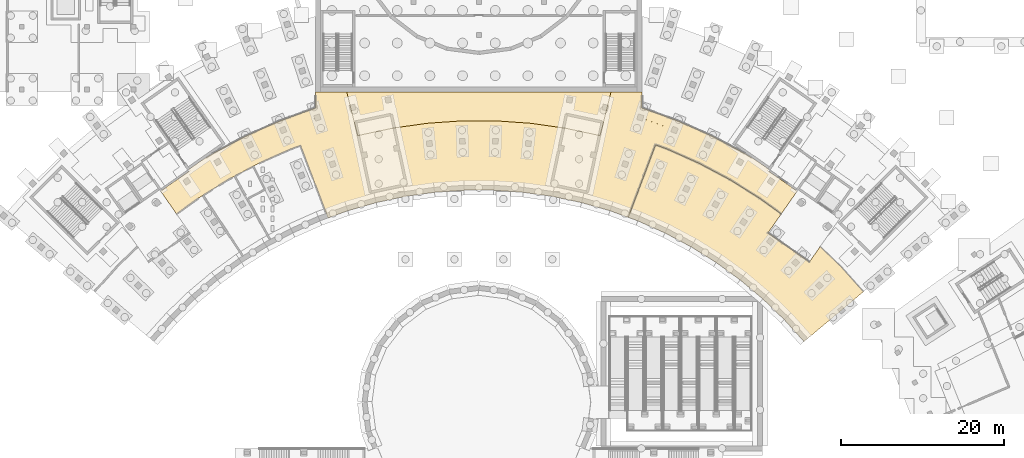
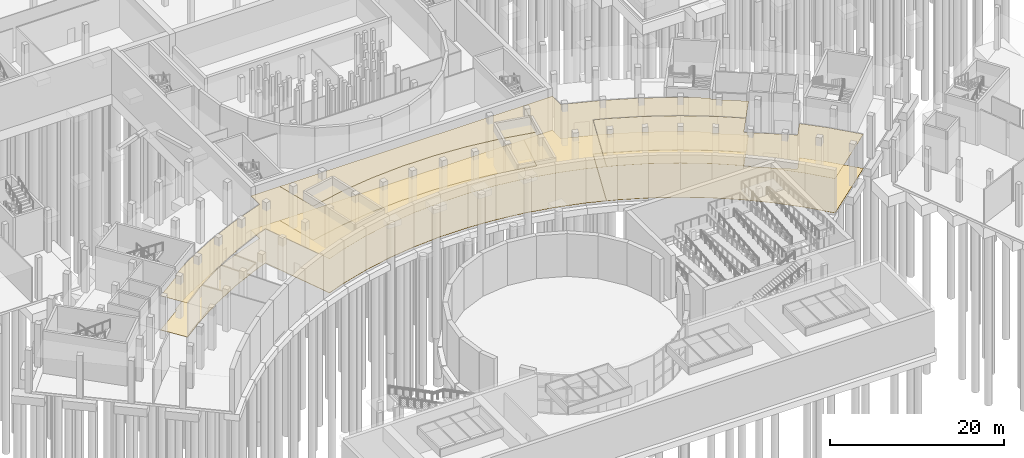
# One storey, part 42 of 66: 6 coverings.
"""IFC4 building model written with IfcOpenShell, lengths in metres."""

from ifc_helpers import new_model, si_unit, direction, frame, origin, place, context, subcontext, project, spatial, polyline, outline, extrude, material, layer, layer_set, type_object, element, save


model = new_model("IFC4")

# Units and contexts
model_context = context("Model", 3, precision=1e-05, world=origin(), true_north=direction((0.0, 1.0)))
body_context = subcontext(model_context, "Body", "Model", "MODEL_VIEW")
ifc_project = project(units=[si_unit("LENGTHUNIT", "METRE"), si_unit("AREAUNIT", "SQUARE_METRE"), si_unit("VOLUMEUNIT", "CUBIC_METRE"), si_unit("PLANEANGLEUNIT", "RADIAN"), si_unit("MASSUNIT", "GRAM", prefix="KILO")], contexts=[model_context])

# Site, building, storey
site_placement = place(None, origin())
site = spatial("IfcSite", under=ifc_project, at=site_placement, CompositionType="ELEMENT")
building_placement = place(site_placement, origin())
building = spatial("IfcBuilding", under=site, at=building_placement, Name="Lunette Opera House", CompositionType="ELEMENT")
storey_placement = place(building_placement, frame((0.0, 0.0, -6.0)))
storey = spatial("IfcBuildingStorey", under=building, at=storey_placement, Name="B1", CompositionType="ELEMENT", Elevation=-6.0)

# Coverings
ifc_material_1 = material(Name="Mineral fibre board")
ifc_layer_1 = layer(ifc_material_1, 0.014892578125)
ifc_layer_set_1 = layer_set([ifc_layer_1], Name="Mineral fibre board")
covering_type_1 = type_object("IfcCoveringType", Name="SUSPENDED ACOUSTIC CEILING 15", PredefinedType="CEILING", material=ifc_layer_set_1)
covering_1_placement = place(storey_placement, frame((0.0, 0.0, 4.81494140625)))
element("IfcCovering", 1, at=covering_1_placement, inside=storey, type_object=covering_type_1, Name="Ceiling Lower Foyer Bar", PredefinedType="CEILING", context=body_context, shape_type="SweptSolid", body=[
    extrude(outline(polyline([(110.8369140625, 58.64501953125), (110.635986328125, 58.702880859375), (106.506103515625, 59.5810546875), (102.323974609375, 60.1689453125), (98.111083984375, 60.462890625), (93.888916015625, 60.462890625), (89.676025390625, 60.1689453125), (85.493896484375, 59.5810546875), (81.364013671875, 58.702880859375), (81.1630859375, 58.64501953125), (79.80908203125, 64.0), (112.19091796875, 64.0), (110.8369140625, 58.64501953125)])), origin(), (0.0, 0.0, 1.0), 0.01513671875),
])
covering_2_placement = place(storey_placement, frame((0.0, 0.0, 4.81494140625)))
element("IfcCovering", 2, at=covering_2_placement, inside=storey, type_object=covering_type_1, Name="Ceiling Exhibition Gallery", PredefinedType="CEILING", context=body_context, shape_type="SweptSolid", body=[
    extrude(outline(polyline([(122.9599609375, 55.27587890625), (126.75, 53.260986328125), (130.389892578125, 50.986083984375), (133.0390625, 49.06103515625), (131.4140625, 46.739990234375), (136.491943359375, 43.18408203125), (137.81103515625, 45.06689453125), (140.239013671875, 42.720947265625), (143.112060546875, 39.531005859375), (139.1640625, 36.218994140625), (135.833984375, 33.425048828125), (134.14501953125, 35.302001953125), (133.406005859375, 36.1220703125), (130.794921875, 38.64404296875), (128.013916015625, 40.97705078125), (125.077880859375, 43.110107421875), (124.840087890625, 43.259033203125), (122.0, 45.032958984375), (118.794921875, 46.737060546875), (117.47802734375, 47.323974609375), (115.47998046875, 48.214111328125), (114.299072265625, 48.64404296875), (117.64208984375, 57.530029296875), (119.0380859375, 57.02197265625), (122.9599609375, 55.27587890625)])), origin(), (0.0, 0.0, 1.0), 0.01513671875),
])
covering_3_placement = place(storey_placement, frame((0.0, 0.0, 4.81494140625)))
element("IfcCovering", 3, at=covering_3_placement, inside=storey, type_object=covering_type_1, Name="Ceiling Lower Foyer", PredefinedType="CEILING", context=body_context, shape_type="SweptSolid", body=[
    extrude(outline(polyline([(63.39990234375, 56.465087890625), (67.41796875, 58.60107421875), (71.575927734375, 60.451904296875), (75.85205078125, 62.009033203125), (76.0, 62.051025390625), (76.0, 64.0), (79.80908203125, 64.0), (81.1630859375, 58.64501953125), (81.364013671875, 58.702880859375), (85.493896484375, 59.5810546875), (89.676025390625, 60.1689453125), (93.888916015625, 60.462890625), (98.111083984375, 60.462890625), (102.323974609375, 60.1689453125), (106.506103515625, 59.5810546875), (110.635986328125, 58.702880859375), (110.8369140625, 58.64501953125), (112.19091796875, 64.0), (116.0, 64.0), (116.0, 62.051025390625), (116.14794921875, 62.009033203125), (120.424072265625, 60.451904296875), (124.58203125, 58.60107421875), (128.60009765625, 56.465087890625), (130.19189453125, 55.469970703125), (131.509033203125, 54.548095703125), (131.39404296875, 54.384033203125), (134.998046875, 51.860107421875), (133.0390625, 49.06103515625), (130.389892578125, 50.986083984375), (126.75, 53.260986328125), (122.9599609375, 55.27587890625), (119.0380859375, 57.02197265625), (117.64208984375, 57.530029296875), (114.299072265625, 48.64404296875), (112.069091796875, 49.455078125), (108.580078125, 50.455078125), (105.030029296875, 51.2099609375), (101.43505859375, 51.715087890625), (97.81494140625, 51.968017578125), (94.18505859375, 51.968017578125), (90.56494140625, 51.715087890625), (86.969970703125, 51.2099609375), (83.419921875, 50.455078125), (79.930908203125, 49.455078125), (77.51904296875, 48.577880859375), (74.14306640625, 57.451904296875), (72.9619140625, 57.02197265625), (69.0400390625, 55.27587890625), (66.0791015625, 53.701904296875), (65.25, 53.260986328125), (62.175048828125, 51.339111328125), (61.610107421875, 50.986083984375), (58.9609375, 49.06103515625), (57.001953125, 51.860107421875), (60.60595703125, 54.384033203125), (60.490966796875, 54.548095703125), (61.80810546875, 55.469970703125), (63.39990234375, 56.465087890625)]), holes=[polyline([(116.0, 60.785888671875), (119.97509765625, 59.340087890625), (116.0, 60.787109375), (116.0, 60.785888671875)]), polyline([(72.02490234375, 59.340087890625), (76.0, 60.785888671875), (76.0, 60.787109375), (72.02490234375, 59.340087890625)])]), origin(), (0.0, 0.0, 1.0), 0.01513671875),
])
ifc_material_2 = material(Name="Terrazzo")
ifc_layer_2 = layer(ifc_material_2, 0.06005859375)
ifc_layer_set_2 = layer_set([ifc_layer_2], Name="Terrazzo")
covering_type_2 = type_object("IfcCoveringType", Name="TERRAZZO FLOOR FINISH 60", PredefinedType="FLOORING", material=ifc_layer_set_2)
covering_4_placement = place(storey_placement, origin())
element("IfcCovering", 4, at=covering_4_placement, inside=storey, type_object=covering_type_2, Name="Floor finish Lower Foyer Bar", PredefinedType="FLOORING", context=body_context, shape_type="SweptSolid", body=[
    extrude(outline(polyline([(110.8369140625, 58.64501953125), (110.635986328125, 58.702880859375), (106.506103515625, 59.5810546875), (102.323974609375, 60.1689453125), (98.111083984375, 60.462890625), (93.888916015625, 60.462890625), (89.676025390625, 60.1689453125), (85.493896484375, 59.5810546875), (81.364013671875, 58.702880859375), (81.1630859375, 58.64501953125), (79.80908203125, 64.0), (112.19091796875, 64.0), (110.8369140625, 58.64501953125)])), origin(), (0.0, 0.0, 1.0), 0.06005859375),
])
covering_5_placement = place(storey_placement, origin())
element("IfcCovering", 5, at=covering_5_placement, inside=storey, type_object=covering_type_2, Name="Floor finish Lower Foyer", PredefinedType="FLOORING", context=body_context, shape_type="SweptSolid", body=[
    extrude(outline(polyline([(63.39990234375, 56.465087890625), (67.41796875, 58.60107421875), (71.575927734375, 60.451904296875), (75.85205078125, 62.009033203125), (76.0, 62.051025390625), (76.0, 64.0), (79.80908203125, 64.0), (81.1630859375, 58.64501953125), (81.364013671875, 58.702880859375), (85.493896484375, 59.5810546875), (89.676025390625, 60.1689453125), (93.888916015625, 60.462890625), (98.111083984375, 60.462890625), (102.323974609375, 60.1689453125), (106.506103515625, 59.5810546875), (110.635986328125, 58.702880859375), (110.8369140625, 58.64501953125), (112.19091796875, 64.0), (116.0, 64.0), (116.0, 62.051025390625), (116.14794921875, 62.009033203125), (120.424072265625, 60.451904296875), (124.58203125, 58.60107421875), (128.60009765625, 56.465087890625), (130.19189453125, 55.469970703125), (131.509033203125, 54.548095703125), (131.39404296875, 54.384033203125), (134.998046875, 51.860107421875), (133.0390625, 49.06103515625), (130.389892578125, 50.986083984375), (126.75, 53.260986328125), (122.9599609375, 55.27587890625), (119.0380859375, 57.02197265625), (117.64208984375, 57.530029296875), (114.299072265625, 48.64404296875), (112.069091796875, 49.455078125), (108.580078125, 50.455078125), (105.030029296875, 51.2099609375), (101.43505859375, 51.715087890625), (97.81494140625, 51.968017578125), (94.18505859375, 51.968017578125), (90.56494140625, 51.715087890625), (86.969970703125, 51.2099609375), (83.419921875, 50.455078125), (79.930908203125, 49.455078125), (77.51904296875, 48.577880859375), (74.14306640625, 57.451904296875), (72.9619140625, 57.02197265625), (69.0400390625, 55.27587890625), (66.0791015625, 53.701904296875), (65.25, 53.260986328125), (62.175048828125, 51.339111328125), (61.610107421875, 50.986083984375), (58.9609375, 49.06103515625), (57.001953125, 51.860107421875), (60.60595703125, 54.384033203125), (60.490966796875, 54.548095703125), (61.80810546875, 55.469970703125), (63.39990234375, 56.465087890625)]), holes=[polyline([(116.0, 60.785888671875), (119.97509765625, 59.340087890625), (116.0, 60.787109375), (116.0, 60.785888671875)]), polyline([(72.02490234375, 59.340087890625), (76.0, 60.785888671875), (76.0, 60.787109375), (72.02490234375, 59.340087890625)])]), origin(), (0.0, 0.0, 1.0), 0.06005859375),
])
ifc_material_3 = material(Name="Timber", Category="wood")
ifc_layer_3 = layer(ifc_material_3, 0.0400390625)
ifc_layer_set_3 = layer_set([ifc_layer_3], Name="Timber")
covering_type_3 = type_object("IfcCoveringType", Name="TIMBER FLOOR FINISH 40", PredefinedType="FLOORING", material=ifc_layer_set_3)
covering_6_placement = place(storey_placement, origin())
element("IfcCovering", 6, at=covering_6_placement, inside=storey, type_object=covering_type_3, Name="Floor finish Exhibition Gallery", PredefinedType="FLOORING", context=body_context, shape_type="SweptSolid", body=[
    extrude(outline(polyline([(122.9599609375, 55.27587890625), (126.75, 53.260986328125), (130.389892578125, 50.986083984375), (133.0390625, 49.06103515625), (131.4140625, 46.739990234375), (136.491943359375, 43.18408203125), (137.81103515625, 45.06689453125), (140.239013671875, 42.720947265625), (143.112060546875, 39.531005859375), (139.1640625, 36.218994140625), (135.833984375, 33.425048828125), (134.14501953125, 35.302001953125), (133.406005859375, 36.1220703125), (130.794921875, 38.64404296875), (128.013916015625, 40.97705078125), (125.077880859375, 43.110107421875), (124.840087890625, 43.259033203125), (122.0, 45.032958984375), (118.794921875, 46.737060546875), (117.47802734375, 47.323974609375), (115.47998046875, 48.214111328125), (114.299072265625, 48.64404296875), (117.64208984375, 57.530029296875), (119.0380859375, 57.02197265625), (122.9599609375, 55.27587890625)])), origin(), (0.0, 0.0, 1.0), 0.0400390625),
])

save(model, "model.ifc")
